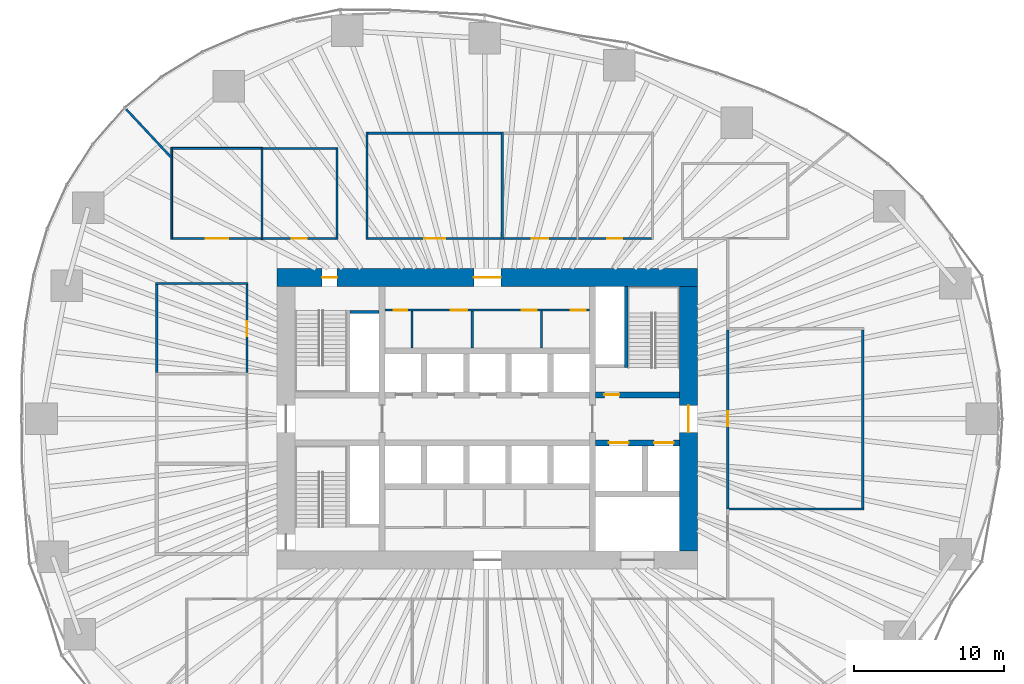
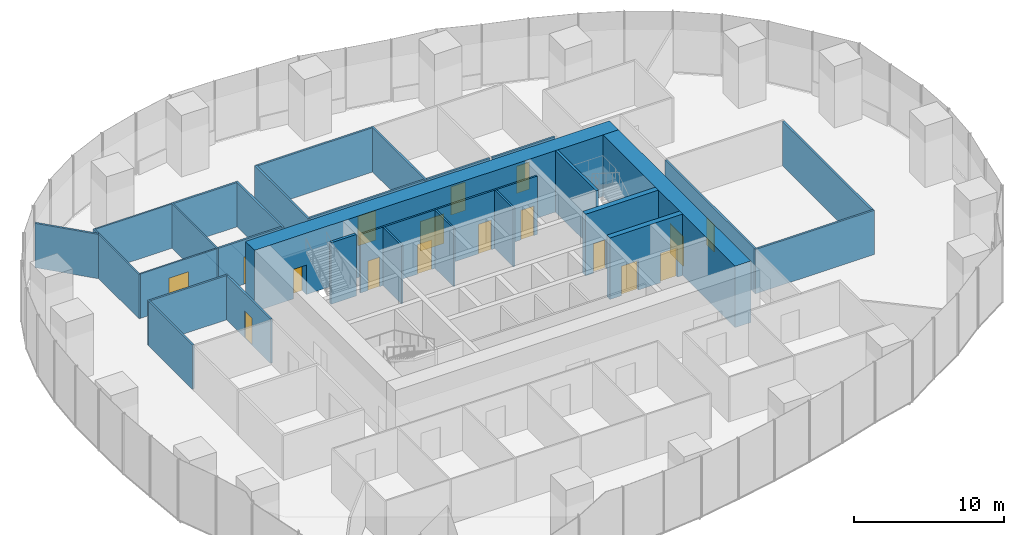
# One storey, part 11 of 20: 30 walls, 17 doors, 17 openings.
"""IFC4 building model written with IfcOpenShell, lengths in metres."""

from ifc_helpers import new_model, si_unit, direction, frame, frame_2d, origin, place, context, subcontext, project, spatial, rectangle, extrude, material, layer, layer_set, type_object, element, fill, save


model = new_model("IFC4")

# Units and contexts
model_context = context("Model", 3, precision=1e-05, world=origin(), true_north=direction((0.0, 1.0)))
body_context = subcontext(model_context, "Body", "Model", "MODEL_VIEW")
ifc_project = project(units=[si_unit("LENGTHUNIT", "METRE"), si_unit("AREAUNIT", "SQUARE_METRE"), si_unit("VOLUMEUNIT", "CUBIC_METRE"), si_unit("PLANEANGLEUNIT", "RADIAN"), si_unit("MASSUNIT", "GRAM", prefix="KILO")], contexts=[model_context])

# Site, building, storey
site_placement = place(None, origin())
site = spatial("IfcSite", under=ifc_project, at=site_placement, CompositionType="ELEMENT")
building_placement = place(site_placement, origin())
building = spatial("IfcBuilding", under=site, at=building_placement, Name="Ghaith Harvest Tower", CompositionType="ELEMENT")
storey_placement = place(building_placement, frame((0.0, 0.0, 50.0)))
storey = spatial("IfcBuildingStorey", under=building, at=storey_placement, Name="L10", CompositionType="ELEMENT", Elevation=50.0)

# Wall, openings, doors
ifc_material_1 = material(Name="Concrete blockwork, fair-faced", Category="masonry")
ifc_layer_1 = layer(ifc_material_1, 0.139892578125)
ifc_layer_set_1 = layer_set([ifc_layer_1], Name="CORE PARTITION 140")
wall_type_1 = type_object("IfcWallType", Name="CORE PARTITION 140", PredefinedType="PARTITIONING", material=ifc_layer_set_1)
wall_1_placement = place(storey_placement, frame((-6.800048828125, 7.22998046875, 0.0), z_axis=(0.0, 0.0, 1.0), x_axis=(1.0, 0.0, 0.0)))
wall_1 = element("IfcWall", 1, at=wall_1_placement, inside=storey, type_object=wall_type_1, Name="Core partition L10", PredefinedType="PARTITIONING", context=body_context, shape_type="SweptSolid", body=[
    extrude(rectangle(XDim=13.60009765625, YDim=0.139892578125, at=frame_2d((6.800048828125, 0.0))), origin(), (0.0, 0.0, 1.0), 4.75),
])
opening_1_placement = place(wall_1_placement, frame((0.580078125, 0.0, 0.0)))
opening_1 = element("IfcOpeningElement", 2, at=opening_1_placement, cuts=wall_1, Name="Opening 10-008", PredefinedType="OPENING", context=body_context, shape_type="SweptSolid", body=[
    extrude(rectangle(XDim=0.89990234375, YDim=2.39990234375, at=frame_2d((0.449951171875, 1.199951171875))), frame((0.0, 0.080078125, 0.0), z_axis=(0.0, -1.0, 0.0), x_axis=(1.0, 0.0, 0.0)), (0.0, 0.0, 1.0), 0.159912109375),
])
opening_2_placement = place(wall_1_placement, frame((4.3798828125, 0.0, 0.0)))
opening_2 = element("IfcOpeningElement", 3, at=opening_2_placement, cuts=wall_1, Name="Opening 10-009", PredefinedType="OPENING", context=body_context, shape_type="SweptSolid", body=[
    extrude(rectangle(XDim=1.10009765625, YDim=2.39990234375, at=frame_2d((0.550048828125, 1.199951171875))), frame((0.0, 0.080078125, 0.0), z_axis=(0.0, -1.0, 0.0), x_axis=(1.0, 0.0, 0.0)), (0.0, 0.0, 1.0), 0.159912109375),
])
opening_3_placement = place(wall_1_placement, frame((9.080078125, 0.0, 0.0)))
opening_3 = element("IfcOpeningElement", 4, at=opening_3_placement, cuts=wall_1, Name="Opening 10-010", PredefinedType="OPENING", context=body_context, shape_type="SweptSolid", body=[
    extrude(rectangle(XDim=1.0, YDim=2.39990234375, at=frame_2d((0.5, 1.199951171875))), frame((0.0, 0.080078125, 0.0), z_axis=(0.0, -1.0, 0.0), x_axis=(1.0, 0.0, 0.0)), (0.0, 0.0, 1.0), 0.159912109375),
])
opening_4_placement = place(wall_1_placement, frame((12.35009765625, 0.0, 0.0)))
opening_4 = element("IfcOpeningElement", 5, at=opening_4_placement, cuts=wall_1, Name="Opening 10-011", PredefinedType="OPENING", context=body_context, shape_type="SweptSolid", body=[
    extrude(rectangle(XDim=1.0, YDim=2.39990234375, at=frame_2d((0.5, 1.199951171875))), frame((0.0, 0.080078125, 0.0), z_axis=(0.0, -1.0, 0.0), x_axis=(1.0, 0.0, 0.0)), (0.0, 0.0, 1.0), 0.159912109375),
])
ifc_material_2 = material(Name="Steel fire door", Category="steel")
door_type_1 = type_object("IfcDoorType", Name="D3 FD90 1000x2400", OperationType="SINGLE_SWING_LEFT", PredefinedType="DOOR", material=ifc_material_2)
door_1_placement = place(opening_3_placement, origin())
door_1 = element("IfcDoor", 6, at=door_1_placement, inside=storey, type_object=door_type_1, Name="Male WC door", OperationType="SINGLE_SWING_RIGHT", OverallHeight=2.39990234375, OverallWidth=1.0, PredefinedType="DOOR", context=body_context, shape_type="SweptSolid", body=[
    extrude(rectangle(XDim=1.0, YDim=2.39990234375, at=frame_2d((0.5, 1.199951171875))), frame((0.0, 0.02490234375, 0.0), z_axis=(0.0, -1.0, 0.0), x_axis=(1.0, 0.0, 0.0)), (0.0, 0.0, 1.0), 0.050048828125),
])
fill(opening_3, door_1)
door_2_placement = place(opening_4_placement, origin())
door_2 = element("IfcDoor", 7, at=door_2_placement, inside=storey, type_object=door_type_1, Name="Female WC door", OperationType="SINGLE_SWING_RIGHT", OverallHeight=2.39990234375, OverallWidth=1.0, PredefinedType="DOOR", context=body_context, shape_type="SweptSolid", body=[
    extrude(rectangle(XDim=1.0, YDim=2.39990234375, at=frame_2d((0.5, 1.199951171875))), frame((0.0, 0.02490234375, 0.0), z_axis=(0.0, -1.0, 0.0), x_axis=(1.0, 0.0, 0.0)), (0.0, 0.0, 1.0), 0.050048828125),
])
fill(opening_4, door_2)
ifc_material_3 = material(Name="Steel fire door", Category="steel")
door_type_2 = type_object("IfcDoorType", Name="D5 FD90 900x2400", OperationType="SINGLE_SWING_LEFT", PredefinedType="DOOR", material=ifc_material_3)
door_3_placement = place(opening_1_placement, origin())
door_3 = element("IfcDoor", 8, at=door_3_placement, inside=storey, type_object=door_type_2, Name="Cleaner's store door", OperationType="SINGLE_SWING_LEFT", OverallHeight=2.39990234375, OverallWidth=0.89990234375, PredefinedType="DOOR", context=body_context, shape_type="SweptSolid", body=[
    extrude(rectangle(XDim=0.89990234375, YDim=2.39990234375, at=frame_2d((0.449951171875, 1.199951171875))), frame((0.0, 0.02490234375, 0.0), z_axis=(0.0, -1.0, 0.0), x_axis=(1.0, 0.0, 0.0)), (0.0, 0.0, 1.0), 0.050048828125),
])
fill(opening_1, door_3)
ifc_material_4 = material(Name="Steel fire door", Category="steel")
door_type_3 = type_object("IfcDoorType", Name="D9 FD90 1100x2400", OperationType="SINGLE_SWING_LEFT", PredefinedType="DOOR", material=ifc_material_4)
door_4_placement = place(opening_2_placement, origin())
door_4 = element("IfcDoor", 9, at=door_4_placement, inside=storey, type_object=door_type_3, Name="Accessible WC door", OperationType="SINGLE_SWING_LEFT", OverallHeight=2.39990234375, OverallWidth=1.10009765625, PredefinedType="DOOR", context=body_context, shape_type="SweptSolid", body=[
    extrude(rectangle(XDim=1.10009765625, YDim=2.39990234375, at=frame_2d((0.550048828125, 1.199951171875))), frame((0.0, 0.02490234375, 0.0), z_axis=(0.0, -1.0, 0.0), x_axis=(1.0, 0.0, 0.0)), (0.0, 0.0, 1.0), 0.050048828125),
])
fill(opening_2, door_4)

# Walls
for number, where, z_axis, x_axis, name in (
    (10, (-5.0, 4.699951171875, 0.0), (0.0, 0.0, 1.0), (0.0, 1.0, 0.0), "Core partition L10"),
    (11, (-1.0, 4.699951171875, 0.0), (0.0, 0.0, 1.0), (0.0, 1.0, 0.0), "Core partition L10"),
    (12, (3.60009765625, 4.699951171875, 0.0), (0.0, 0.0, 1.0), (0.0, 1.0, 0.0), "Core partition L10"),
):
    element("IfcWall", number, at=place(storey_placement, frame(where, z_axis=z_axis, x_axis=x_axis)), inside=storey, type_object=wall_type_1, Name=name, PredefinedType="PARTITIONING", context=body_context, shape_type="SweptSolid", body=[
        extrude(rectangle(XDim=2.4599609375, YDim=0.139892578125, at=frame_2d((1.22998046875, 0.0))), origin(), (0.0, 0.0, 1.0), 4.75),
    ])

# Wall, openings, doors
ifc_material_5 = material(Name="Concrete C70/85", Category="concrete")
ifc_layer_2 = layer(ifc_material_5, 1.199951171875)
ifc_layer_set_2 = layer_set([ifc_layer_2], Name="CORE WALL CW1200")
wall_type_2 = type_object("IfcWallType", Name="CORE WALL CW1200", PredefinedType="SHEAR", material=ifc_layer_set_2)
wall_2_placement = place(storey_placement, frame((14.0, 9.39990234375, 0.0), z_axis=(0.0, 0.0, 1.0), x_axis=(-1.0, 0.0, 0.0)))
wall_2 = element("IfcWall", 13, at=wall_2_placement, inside=storey, type_object=wall_type_2, Name="Core wall N L10", PredefinedType="SHEAR", context=body_context, shape_type="SweptSolid", body=[
    extrude(rectangle(XDim=28.0, YDim=1.199951171875, at=frame_2d((14.0, 0.0))), origin(), (0.0, 0.0, 1.0), 5.0),
])
opening_5_placement = place(wall_2_placement, frame((24.0, 0.0, 0.0)))
opening_5 = element("IfcOpeningElement", 14, at=opening_5_placement, cuts=wall_2, Name="Opening 10-005", PredefinedType="OPENING", context=body_context, shape_type="SweptSolid", body=[
    extrude(rectangle(XDim=1.0, YDim=2.39990234375, at=frame_2d((0.5, 1.199951171875))), frame((0.0, 0.60986328125, 0.0), z_axis=(0.0, -1.0, 0.0), x_axis=(1.0, 0.0, 0.0)), (0.0, 0.0, 1.0), 1.219970703125),
])
opening_6_placement = place(wall_2_placement, frame((13.10009765625, 0.0, 0.0)))
opening_6 = element("IfcOpeningElement", 15, at=opening_6_placement, cuts=wall_2, Name="Opening 10-016", PredefinedType="OPENING", context=body_context, shape_type="SweptSolid", body=[
    extrude(rectangle(XDim=1.800048828125, YDim=2.39990234375, at=frame_2d((0.89990234375, 1.199951171875))), frame((0.0, 0.60986328125, 0.0), z_axis=(0.0, -1.0, 0.0), x_axis=(1.0, 0.0, 0.0)), (0.0, 0.0, 1.0), 1.219970703125),
])
door_5_placement = place(opening_5_placement, origin())
door_5 = element("IfcDoor", 16, at=door_5_placement, inside=storey, type_object=door_type_1, Name="Stair ST1 door", OperationType="SINGLE_SWING_RIGHT", OverallHeight=2.39990234375, OverallWidth=1.0, PredefinedType="DOOR", context=body_context, shape_type="SweptSolid", body=[
    extrude(rectangle(XDim=1.0, YDim=2.39990234375, at=frame_2d((0.5, 1.199951171875))), frame((0.0, 0.02490234375, 0.0), z_axis=(0.0, -1.0, 0.0), x_axis=(1.0, 0.0, 0.0)), (0.0, 0.0, 1.0), 0.050048828125),
])
fill(opening_5, door_5)
ifc_material_6 = material(Name="Steel fire door", Category="steel")
door_type_4 = type_object("IfcDoorType", Name="D4 FD90 PAIR 1800x2400", OperationType="DOUBLE_DOOR_SINGLE_SWING", PredefinedType="DOOR", material=ifc_material_6)
door_6_placement = place(opening_6_placement, origin())
door_6 = element("IfcDoor", 17, at=door_6_placement, inside=storey, type_object=door_type_4, Name="Core service corridor doors", OperationType="DOUBLE_DOOR_SINGLE_SWING", OverallHeight=2.39990234375, OverallWidth=1.800048828125, PredefinedType="DOOR", context=body_context, shape_type="SweptSolid", body=[
    extrude(rectangle(XDim=1.800048828125, YDim=2.39990234375, at=frame_2d((0.89990234375, 1.199951171875))), frame((0.0, 0.02490234375, 0.0), z_axis=(0.0, -1.0, 0.0), x_axis=(1.0, 0.0, 0.0)), (0.0, 0.0, 1.0), 0.050048828125),
])
fill(opening_6, door_6)

# Wall, opening, door
wall_3_placement = place(storey_placement, frame((13.39990234375, -8.800048828125, 0.0), z_axis=(0.0, 0.0, 1.0), x_axis=(0.0, 1.0, 0.0)))
wall_3 = element("IfcWall", 18, at=wall_3_placement, inside=storey, type_object=wall_type_2, Name="Core wall E L10", PredefinedType="SHEAR", context=body_context, shape_type="SweptSolid", body=[
    extrude(rectangle(XDim=17.60009765625, YDim=1.199951171875, at=frame_2d((8.800048828125, 0.0))), origin(), (0.0, 0.0, 1.0), 5.0),
])
opening_7_placement = place(wall_3_placement, frame((7.89990234375, 0.0, 0.0)))
opening_7 = element("IfcOpeningElement", 19, at=opening_7_placement, cuts=wall_3, Name="Opening 10-002", PredefinedType="OPENING", context=body_context, shape_type="SweptSolid", body=[
    extrude(rectangle(XDim=1.800048828125, YDim=2.39990234375, at=frame_2d((0.89990234375, 1.199951171875))), frame((0.0, 0.60986328125, 0.0), z_axis=(0.0, -1.0, 0.0), x_axis=(1.0, 0.0, 0.0)), (0.0, 0.0, 1.0), 1.219970703125),
])
door_7_placement = place(opening_7_placement, origin())
door_7 = element("IfcDoor", 20, at=door_7_placement, inside=storey, type_object=door_type_4, Name="Fire-fighting lobby doors", OperationType="DOUBLE_DOOR_SINGLE_SWING", OverallHeight=2.39990234375, OverallWidth=1.800048828125, PredefinedType="DOOR", context=body_context, shape_type="SweptSolid", body=[
    extrude(rectangle(XDim=1.800048828125, YDim=2.39990234375, at=frame_2d((0.89990234375, 1.199951171875))), frame((0.0, 0.02490234375, 0.0), z_axis=(0.0, -1.0, 0.0), x_axis=(1.0, 0.0, 0.0)), (0.0, 0.0, 1.0), 0.050048828125),
])
fill(opening_7, door_7)

# Walls
ifc_material_7 = material(Name="Insulated food-grade panel", Category="steel")
ifc_layer_3 = layer(ifc_material_7, 0.1201171875)
ifc_layer_set_3 = layer_set([ifc_layer_3], Name="INSULATED PANEL WALL 120")
wall_type_3 = type_object("IfcWallType", Name="INSULATED PANEL WALL 120", PredefinedType="PARTITIONING", material=ifc_layer_set_3)
wall_4_placement = place(storey_placement, frame((-21.0, 11.93994140625, 0.0), z_axis=(0.0, 0.0, 1.0), x_axis=(0.0, 1.0, 0.0)))
element("IfcWall", 21, at=wall_4_placement, inside=storey, type_object=wall_type_3, Name="Partition L10 row N3 cross wall 1", PredefinedType="PARTITIONING", context=body_context, shape_type="SweptSolid", body=[
    extrude(rectangle(XDim=6.1201171875, YDim=0.1201171875, at=frame_2d((3.06005859375, 0.0))), origin(), (0.0, 0.0, 1.0), 3.60009765625),
])
wall_5_placement = place(storey_placement, frame((-15.0, 11.925048828125, 0.0), z_axis=(0.0, 0.0, 1.0), x_axis=(0.0, 1.0, 0.0)))
element("IfcWall", 22, at=wall_5_placement, inside=storey, type_object=wall_type_3, Name="Partition L10 row N3 cross wall 2", PredefinedType="PARTITIONING", context=body_context, shape_type="SweptSolid", body=[
    extrude(rectangle(XDim=6.14990234375, YDim=0.1201171875, at=frame_2d((3.074951171875, 0.0))), origin(), (0.0, 0.0, 1.0), 3.60009765625),
])

# Wall, opening, door
wall_6_placement = place(storey_placement, frame((-20.93994140625, 12.0, 0.0), z_axis=(0.0, 0.0, 1.0), x_axis=(1.0, 0.0, 0.0)))
wall_6 = element("IfcWall", 23, at=wall_6_placement, inside=storey, type_object=wall_type_3, Name="Partition L10-08", PredefinedType="PARTITIONING", context=body_context, shape_type="SweptSolid", body=[
    extrude(rectangle(XDim=5.8798828125, YDim=0.1201171875, at=frame_2d((2.93994140625, 0.0))), origin(), (0.0, 0.0, 1.0), 3.60009765625),
])
opening_8_placement = place(wall_6_placement, frame((2.18994140625, 0.0, 0.0)))
opening_8 = element("IfcOpeningElement", 24, at=opening_8_placement, cuts=wall_6, Name="Opening 10-032", PredefinedType="OPENING", context=body_context, shape_type="SweptSolid", body=[
    extrude(rectangle(XDim=1.5, YDim=2.5, at=frame_2d((0.75, 1.25))), frame((0.0, 0.070068359375, 0.0), z_axis=(0.0, -1.0, 0.0), x_axis=(1.0, 0.0, 0.0)), (0.0, 0.0, 1.0), 0.14013671875),
])
ifc_material_8 = material(Name="Insulated steel sliding door", Category="steel")
door_type_5 = type_object("IfcDoorType", Name="D13 COLD STORE SLIDING 1500x2500", OperationType="SLIDING_TO_LEFT", PredefinedType="DOOR", material=ifc_material_8)
door_8_placement = place(opening_8_placement, origin())
door_8 = element("IfcDoor", 25, at=door_8_placement, inside=storey, type_object=door_type_5, Name="Germination room door", OperationType="SLIDING_TO_LEFT", OverallHeight=2.5, OverallWidth=1.5, PredefinedType="DOOR", context=body_context, shape_type="SweptSolid", body=[
    extrude(rectangle(XDim=1.5, YDim=2.5, at=frame_2d((0.75, 1.25))), frame((0.0, 0.02490234375, 0.0), z_axis=(0.0, -1.0, 0.0), x_axis=(1.0, 0.0, 0.0)), (0.0, 0.0, 1.0), 0.050048828125),
])
fill(opening_8, door_8)

# Walls
wall_7_placement = place(storey_placement, frame((-20.93994140625, 18.0, 0.0), z_axis=(0.0, 0.0, 1.0), x_axis=(1.0, 0.0, 0.0)))
element("IfcWall", 26, at=wall_7_placement, inside=storey, type_object=wall_type_3, Name="Partition L10-08", PredefinedType="PARTITIONING", context=body_context, shape_type="SweptSolid", body=[
    extrude(rectangle(XDim=5.8798828125, YDim=0.1201171875, at=frame_2d((2.93994140625, 0.0))), origin(), (0.0, 0.0, 1.0), 3.60009765625),
])
ifc_material_9 = material(Name="Gypsum board on steel studs", Category="steel")
ifc_layer_4 = layer(ifc_material_9, 0.14990234375)
ifc_layer_set_4 = layer_set([ifc_layer_4], Name="PARTITION 150")
wall_type_4 = type_object("IfcWallType", Name="PARTITION 150", PredefinedType="PARTITIONING", material=ifc_layer_set_4)
wall_8_placement = place(storey_placement, frame((-10.0, 11.925048828125, 0.0), z_axis=(0.0, 0.0, 1.0), x_axis=(0.0, 1.0, 0.0)))
element("IfcWall", 27, at=wall_8_placement, inside=storey, type_object=wall_type_4, Name="Partition L10 row N3 cross wall 3", PredefinedType="PARTITIONING", context=body_context, shape_type="SweptSolid", body=[
    extrude(rectangle(XDim=6.14990234375, YDim=0.14990234375, at=frame_2d((3.074951171875, 0.0))), origin(), (0.0, 0.0, 1.0), 3.60009765625),
])

# Wall, opening, door
wall_9_placement = place(storey_placement, frame((-14.93994140625, 12.0, 0.0), z_axis=(0.0, 0.0, 1.0), x_axis=(1.0, 0.0, 0.0)))
wall_9 = element("IfcWall", 28, at=wall_9_placement, inside=storey, type_object=wall_type_4, Name="Partition L10-09", PredefinedType="PARTITIONING", context=body_context, shape_type="SweptSolid", body=[
    extrude(rectangle(XDim=4.864990234375, YDim=0.14990234375, at=frame_2d((2.4326171875, 0.0))), origin(), (0.0, 0.0, 1.0), 3.60009765625),
])
opening_9_placement = place(wall_9_placement, frame((1.9326171875, 0.0, 0.0)))
opening_9 = element("IfcOpeningElement", 29, at=opening_9_placement, cuts=wall_9, Name="Opening 10-033", PredefinedType="OPENING", context=body_context, shape_type="SweptSolid", body=[
    extrude(rectangle(XDim=1.0, YDim=2.199951171875, at=frame_2d((0.5, 1.10009765625))), frame((0.0, 0.0849609375, 0.0), z_axis=(0.0, -1.0, 0.0), x_axis=(1.0, 0.0, 0.0)), (0.0, 0.0, 1.0), 0.169921875),
])
ifc_material_10 = material(Name="Timber door", Category="wood")
door_type_6 = type_object("IfcDoorType", Name="D1 SINGLE 1000x2200", OperationType="SINGLE_SWING_LEFT", PredefinedType="DOOR", material=ifc_material_10)
door_9_placement = place(opening_9_placement, origin())
door_9 = element("IfcDoor", 30, at=door_9_placement, inside=storey, type_object=door_type_6, Name="Seed store door", OperationType="SINGLE_SWING_LEFT", OverallHeight=2.199951171875, OverallWidth=1.0, PredefinedType="DOOR", context=body_context, shape_type="SweptSolid", body=[
    extrude(rectangle(XDim=1.0, YDim=2.199951171875, at=frame_2d((0.5, 1.10009765625))), frame((0.0, 0.02490234375, 0.0), z_axis=(0.0, -1.0, 0.0), x_axis=(1.0, 0.0, 0.0)), (0.0, 0.0, 1.0), 0.050048828125),
])
fill(opening_9, door_9)

# Walls
wall_10_placement = place(storey_placement, frame((-14.93994140625, 18.0, 0.0), z_axis=(0.0, 0.0, 1.0), x_axis=(1.0, 0.0, 0.0)))
element("IfcWall", 31, at=wall_10_placement, inside=storey, type_object=wall_type_4, Name="Partition L10-09", PredefinedType="PARTITIONING", context=body_context, shape_type="SweptSolid", body=[
    extrude(rectangle(XDim=4.864990234375, YDim=0.14990234375, at=frame_2d((2.4326171875, 0.0))), origin(), (0.0, 0.0, 1.0), 3.60009765625),
])
for number, where, z_axis, x_axis, name in (
    (32, (-8.0, 11.925048828125, 0.0), (0.0, 0.0, 1.0), (0.0, 1.0, 0.0), "Partition L10 row N4 cross wall 1"),
    (33, (1.0, 11.925048828125, 0.0), (0.0, 0.0, 1.0), (0.0, 1.0, 0.0), "Partition L10 row N4 cross wall 2"),
):
    element("IfcWall", number, at=place(storey_placement, frame(where, z_axis=z_axis, x_axis=x_axis)), inside=storey, type_object=wall_type_4, Name=name, PredefinedType="PARTITIONING", context=body_context, shape_type="SweptSolid", body=[
        extrude(rectangle(XDim=7.14990234375, YDim=0.14990234375, at=frame_2d((3.574951171875, 0.0))), origin(), (0.0, 0.0, 1.0), 3.60009765625),
    ])

# Wall, opening, door
wall_11_placement = place(storey_placement, frame((-7.925048828125, 12.0, 0.0), z_axis=(0.0, 0.0, 1.0), x_axis=(1.0, 0.0, 0.0)))
wall_11 = element("IfcWall", 34, at=wall_11_placement, inside=storey, type_object=wall_type_4, Name="Partition L10-10", PredefinedType="PARTITIONING", context=body_context, shape_type="SweptSolid", body=[
    extrude(rectangle(XDim=8.85009765625, YDim=0.14990234375, at=frame_2d((4.425048828125, 0.0))), origin(), (0.0, 0.0, 1.0), 3.60009765625),
])
opening_10_placement = place(wall_11_placement, frame((3.72509765625, 0.0, 0.0)))
opening_10 = element("IfcOpeningElement", 35, at=opening_10_placement, cuts=wall_11, Name="Opening 10-034", PredefinedType="OPENING", context=body_context, shape_type="SweptSolid", body=[
    extrude(rectangle(XDim=1.39990234375, YDim=2.39990234375, at=frame_2d((0.699951171875, 1.199951171875))), frame((0.0, 0.0849609375, 0.0), z_axis=(0.0, -1.0, 0.0), x_axis=(1.0, 0.0, 0.0)), (0.0, 0.0, 1.0), 0.169921875),
])
ifc_material_11 = material(Name="Stainless steel faced door pair", Category="steel")
door_type_7 = type_object("IfcDoorType", Name="D14 HYGIENE PAIR 1400x2400", OperationType="DOUBLE_DOOR_DOUBLE_SWING", PredefinedType="DOOR", material=ifc_material_11)
door_10_placement = place(opening_10_placement, origin())
door_10 = element("IfcDoor", 36, at=door_10_placement, inside=storey, type_object=door_type_7, Name="Harvest room door", OperationType="DOUBLE_DOOR_DOUBLE_SWING", OverallHeight=2.39990234375, OverallWidth=1.39990234375, PredefinedType="DOOR", context=body_context, shape_type="SweptSolid", body=[
    extrude(rectangle(XDim=1.39990234375, YDim=2.39990234375, at=frame_2d((0.699951171875, 1.199951171875))), frame((0.0, 0.02490234375, 0.0), z_axis=(0.0, -1.0, 0.0), x_axis=(1.0, 0.0, 0.0)), (0.0, 0.0, 1.0), 0.050048828125),
])
fill(opening_10, door_10)

# Wall
wall_12_placement = place(storey_placement, frame((-7.925048828125, 19.0, 0.0), z_axis=(0.0, 0.0, 1.0), x_axis=(1.0, 0.0, 0.0)))
element("IfcWall", 37, at=wall_12_placement, inside=storey, type_object=wall_type_4, Name="Partition L10-10", PredefinedType="PARTITIONING", context=body_context, shape_type="SweptSolid", body=[
    extrude(rectangle(XDim=8.85009765625, YDim=0.14990234375, at=frame_2d((4.425048828125, 0.0))), origin(), (0.0, 0.0, 1.0), 3.60009765625),
])

# Wall, opening, door
wall_13_placement = place(storey_placement, frame((1.074951171875, 12.0, 0.0), z_axis=(0.0, 0.0, 1.0), x_axis=(1.0, 0.0, 0.0)))
wall_13 = element("IfcWall", 38, at=wall_13_placement, inside=storey, type_object=wall_type_4, Name="Partition L10-11", PredefinedType="PARTITIONING", context=body_context, shape_type="SweptSolid", body=[
    extrude(rectangle(XDim=4.85009765625, YDim=0.14990234375, at=frame_2d((2.425048828125, 0.0))), origin(), (0.0, 0.0, 1.0), 3.60009765625),
])
opening_11_placement = place(wall_13_placement, frame((1.875, 0.0, 0.0)))
opening_11 = element("IfcOpeningElement", 39, at=opening_11_placement, cuts=wall_13, Name="Opening 10-035", PredefinedType="OPENING", context=body_context, shape_type="SweptSolid", body=[
    extrude(rectangle(XDim=1.10009765625, YDim=2.300048828125, at=frame_2d((0.550048828125, 1.14990234375))), frame((0.0, 0.0849609375, 0.0), z_axis=(0.0, -1.0, 0.0), x_axis=(1.0, 0.0, 0.0)), (0.0, 0.0, 1.0), 0.169921875),
])
ifc_material_12 = material(Name="Timber-framed glazed door", Category="wood")
door_type_8 = type_object("IfcDoorType", Name="D12 GLAZED OFFICE 1100x2300", OperationType="SINGLE_SWING_LEFT", PredefinedType="DOOR", material=ifc_material_12)
door_11_placement = place(opening_11_placement, origin())
door_11 = element("IfcDoor", 40, at=door_11_placement, inside=storey, type_object=door_type_8, Name="Growing office door", OperationType="SINGLE_SWING_LEFT", OverallHeight=2.300048828125, OverallWidth=1.10009765625, PredefinedType="DOOR", context=body_context, shape_type="SweptSolid", body=[
    extrude(rectangle(XDim=1.10009765625, YDim=2.300048828125, at=frame_2d((0.550048828125, 1.14990234375))), frame((0.0, 0.02490234375, 0.0), z_axis=(0.0, -1.0, 0.0), x_axis=(1.0, 0.0, 0.0)), (0.0, 0.0, 1.0), 0.050048828125),
])
fill(opening_11, door_11)

wall_14_placement = place(storey_placement, frame((6.074951171875, 12.0, 0.0), z_axis=(0.0, 0.0, 1.0), x_axis=(1.0, 0.0, 0.0)))
wall_14 = element("IfcWall", 41, at=wall_14_placement, inside=storey, type_object=wall_type_4, Name="Partition L10-12", PredefinedType="PARTITIONING", context=body_context, shape_type="SweptSolid", body=[
    extrude(rectangle(XDim=4.85009765625, YDim=0.14990234375, at=frame_2d((2.425048828125, 0.0))), origin(), (0.0, 0.0, 1.0), 3.60009765625),
])
opening_12_placement = place(wall_14_placement, frame((1.925048828125, 0.0, 0.0)))
opening_12 = element("IfcOpeningElement", 42, at=opening_12_placement, cuts=wall_14, Name="Opening 10-036", PredefinedType="OPENING", context=body_context, shape_type="SweptSolid", body=[
    extrude(rectangle(XDim=1.0, YDim=2.199951171875, at=frame_2d((0.5, 1.10009765625))), frame((0.0, 0.0849609375, 0.0), z_axis=(0.0, -1.0, 0.0), x_axis=(1.0, 0.0, 0.0)), (0.0, 0.0, 1.0), 0.169921875),
])
door_12_placement = place(opening_12_placement, origin())
door_12 = element("IfcDoor", 43, at=door_12_placement, inside=storey, type_object=door_type_6, Name="Staff room door", OperationType="SINGLE_SWING_LEFT", OverallHeight=2.199951171875, OverallWidth=1.0, PredefinedType="DOOR", context=body_context, shape_type="SweptSolid", body=[
    extrude(rectangle(XDim=1.0, YDim=2.199951171875, at=frame_2d((0.5, 1.10009765625))), frame((0.0, 0.02490234375, 0.0), z_axis=(0.0, -1.0, 0.0), x_axis=(1.0, 0.0, 0.0)), (0.0, 0.0, 1.0), 0.050048828125),
])
fill(opening_12, door_12)

# Wall
wall_15_placement = place(storey_placement, frame((15.925048828125, -6.0, 0.0), z_axis=(0.0, 0.0, 1.0), x_axis=(1.0, 0.0, 0.0)))
element("IfcWall", 44, at=wall_15_placement, inside=storey, type_object=wall_type_4, Name="Partition L10 row E5 cross wall 1", PredefinedType="PARTITIONING", context=body_context, shape_type="SweptSolid", body=[
    extrude(rectangle(XDim=9.14990234375, YDim=0.14990234375, at=frame_2d((4.574951171875, 0.0))), origin(), (0.0, 0.0, 1.0), 3.60009765625),
])

# Wall, opening, door
wall_16_placement = place(storey_placement, frame((16.0, -5.925048828125, 0.0), z_axis=(0.0, 0.0, 1.0), x_axis=(0.0, 1.0, 0.0)))
wall_16 = element("IfcWall", 45, at=wall_16_placement, inside=storey, type_object=wall_type_4, Name="Partition L10-13", PredefinedType="PARTITIONING", context=body_context, shape_type="SweptSolid", body=[
    extrude(rectangle(XDim=11.85009765625, YDim=0.14990234375, at=frame_2d((5.925048828125, 0.0))), origin(), (0.0, 0.0, 1.0), 3.60009765625),
])
opening_13_placement = place(wall_16_placement, frame((5.425048828125, 0.0, 0.0)))
opening_13 = element("IfcOpeningElement", 46, at=opening_13_placement, cuts=wall_16, Name="Opening 10-037", PredefinedType="OPENING", context=body_context, shape_type="SweptSolid", body=[
    extrude(rectangle(XDim=1.0, YDim=2.199951171875, at=frame_2d((0.5, 1.10009765625))), frame((0.0, 0.0849609375, 0.0), z_axis=(0.0, -1.0, 0.0), x_axis=(1.0, 0.0, 0.0)), (0.0, 0.0, 1.0), 0.169921875),
])
door_13_placement = place(opening_13_placement, origin())
door_13 = element("IfcDoor", 47, at=door_13_placement, inside=storey, type_object=door_type_6, Name="Crop research room door", OperationType="SINGLE_SWING_LEFT", OverallHeight=2.199951171875, OverallWidth=1.0, PredefinedType="DOOR", context=body_context, shape_type="SweptSolid", body=[
    extrude(rectangle(XDim=1.0, YDim=2.199951171875, at=frame_2d((0.5, 1.10009765625))), frame((0.0, 0.02490234375, 0.0), z_axis=(0.0, -1.0, 0.0), x_axis=(1.0, 0.0, 0.0)), (0.0, 0.0, 1.0), 0.050048828125),
])
fill(opening_13, door_13)

# Walls
wall_17_placement = place(storey_placement, frame((25.0, -5.925048828125, 0.0), z_axis=(0.0, 0.0, 1.0), x_axis=(0.0, 1.0, 0.0)))
element("IfcWall", 48, at=wall_17_placement, inside=storey, type_object=wall_type_4, Name="Partition L10-13", PredefinedType="PARTITIONING", context=body_context, shape_type="SweptSolid", body=[
    extrude(rectangle(XDim=11.85009765625, YDim=0.14990234375, at=frame_2d((5.925048828125, 0.0))), origin(), (0.0, 0.0, 1.0), 3.60009765625),
])
wall_18_placement = place(storey_placement, frame((-15.925048828125, 9.0, 0.0), z_axis=(0.0, 0.0, 1.0), x_axis=(-1.0, 0.0, 0.0)))
element("IfcWall", 49, at=wall_18_placement, inside=storey, type_object=wall_type_4, Name="Partition L10 row W6 cross wall 4", PredefinedType="PARTITIONING", context=body_context, shape_type="SweptSolid", body=[
    extrude(rectangle(XDim=6.14990234375, YDim=0.14990234375, at=frame_2d((3.074951171875, 0.0))), origin(), (0.0, 0.0, 1.0), 3.60009765625),
])

# Wall, opening, door
wall_19_placement = place(storey_placement, frame((-16.0, 3.074951171875, 0.0), z_axis=(0.0, 0.0, 1.0), x_axis=(0.0, 1.0, 0.0)))
wall_19 = element("IfcWall", 50, at=wall_19_placement, inside=storey, type_object=wall_type_4, Name="Partition L10-16", PredefinedType="PARTITIONING", context=body_context, shape_type="SweptSolid", body=[
    extrude(rectangle(XDim=5.85009765625, YDim=0.14990234375, at=frame_2d((2.925048828125, 0.0))), origin(), (0.0, 0.0, 1.0), 3.60009765625),
])
opening_14_placement = place(wall_19_placement, frame((2.425048828125, 0.0, 0.0)))
opening_14 = element("IfcOpeningElement", 51, at=opening_14_placement, cuts=wall_19, Name="Opening 10-040", PredefinedType="OPENING", context=body_context, shape_type="SweptSolid", body=[
    extrude(rectangle(XDim=1.0, YDim=2.199951171875, at=frame_2d((0.5, 1.10009765625))), frame((0.0, 0.0849609375, 0.0), z_axis=(0.0, -1.0, 0.0), x_axis=(1.0, 0.0, 0.0)), (0.0, 0.0, 1.0), 0.169921875),
])
door_14_placement = place(opening_14_placement, origin())
door_14 = element("IfcDoor", 52, at=door_14_placement, inside=storey, type_object=door_type_6, Name="Store door", OperationType="SINGLE_SWING_LEFT", OverallHeight=2.199951171875, OverallWidth=1.0, PredefinedType="DOOR", context=body_context, shape_type="SweptSolid", body=[
    extrude(rectangle(XDim=1.0, YDim=2.199951171875, at=frame_2d((0.5, 1.10009765625))), frame((0.0, 0.02490234375, 0.0), z_axis=(0.0, -1.0, 0.0), x_axis=(1.0, 0.0, 0.0)), (0.0, 0.0, 1.0), 0.050048828125),
])
fill(opening_14, door_14)

# Walls
wall_20_placement = place(storey_placement, frame((-22.0, 3.074951171875, 0.0), z_axis=(0.0, 0.0, 1.0), x_axis=(0.0, 1.0, 0.0)))
element("IfcWall", 53, at=wall_20_placement, inside=storey, type_object=wall_type_4, Name="Partition L10-16", PredefinedType="PARTITIONING", context=body_context, shape_type="SweptSolid", body=[
    extrude(rectangle(XDim=5.85009765625, YDim=0.14990234375, at=frame_2d((2.925048828125, 0.0))), origin(), (0.0, 0.0, 1.0), 3.60009765625),
])
wall_21_placement = place(storey_placement, frame((-21.02001953125, 17.37548828125, 0.0), z_axis=(0.0, 0.0, 1.0), x_axis=(-0.682511222631, 0.730875113123, 0.0)))
element("IfcWall", 54, at=wall_21_placement, inside=storey, type_object=wall_type_4, Name="Partition L10 zone division", PredefinedType="PARTITIONING", context=body_context, shape_type="SweptSolid", body=[
    extrude(rectangle(XDim=4.4169921875, YDim=0.14990234375, at=frame_2d((2.20849609375, 0.0))), origin(), (0.0, 0.0, 1.0), 3.60009765625),
])

# Wall, opening, door
ifc_material_13 = material(Name="Concrete C70/85", Category="concrete")
ifc_layer_5 = layer(ifc_material_13, 0.39990234375)
ifc_layer_set_5 = layer_set([ifc_layer_5], Name="SHAFT WALL 400")
wall_type_5 = type_object("IfcWallType", Name="SHAFT WALL 400", PredefinedType="SHEAR", material=ifc_layer_set_5)
wall_22_placement = place(storey_placement, frame((7.199951171875, 1.60009765625, 0.0), z_axis=(0.0, 0.0, 1.0), x_axis=(1.0, 0.0, 0.0)))
wall_22 = element("IfcWall", 55, at=wall_22_placement, inside=storey, type_object=wall_type_5, Name="Shaft wall EN L10", PredefinedType="SHEAR", context=body_context, shape_type="SweptSolid", body=[
    extrude(rectangle(XDim=5.60009765625, YDim=0.39990234375, at=frame_2d((2.800048828125, 0.0))), origin(), (0.0, 0.0, 1.0), 5.0),
])
opening_15_placement = place(wall_22_placement, frame((0.60009765625, 0.0, 0.0)))
opening_15 = element("IfcOpeningElement", 56, at=opening_15_placement, cuts=wall_22, Name="Opening 10-007", PredefinedType="OPENING", context=body_context, shape_type="SweptSolid", body=[
    extrude(rectangle(XDim=1.0, YDim=2.39990234375, at=frame_2d((0.5, 1.199951171875))), frame((0.0, 0.2099609375, 0.0), z_axis=(0.0, -1.0, 0.0), x_axis=(1.0, 0.0, 0.0)), (0.0, 0.0, 1.0), 0.419921875),
])
door_15_placement = place(opening_15_placement, origin())
door_15 = element("IfcDoor", 57, at=door_15_placement, inside=storey, type_object=door_type_1, Name="Stair ST2 door", OperationType="SINGLE_SWING_LEFT", OverallHeight=2.39990234375, OverallWidth=1.0, PredefinedType="DOOR", context=body_context, shape_type="SweptSolid", body=[
    extrude(rectangle(XDim=1.0, YDim=2.39990234375, at=frame_2d((0.5, 1.199951171875))), frame((0.0, 0.02490234375, 0.0), z_axis=(0.0, -1.0, 0.0), x_axis=(1.0, 0.0, 0.0)), (0.0, 0.0, 1.0), 0.050048828125),
])
fill(opening_15, door_15)

# Wall, openings, doors
wall_23_placement = place(storey_placement, frame((7.199951171875, -1.60009765625, 0.0), z_axis=(0.0, 0.0, 1.0), x_axis=(1.0, 0.0, 0.0)))
wall_23 = element("IfcWall", 58, at=wall_23_placement, inside=storey, type_object=wall_type_5, Name="Shaft wall ES L10", PredefinedType="SHEAR", context=body_context, shape_type="SweptSolid", body=[
    extrude(rectangle(XDim=5.60009765625, YDim=0.39990234375, at=frame_2d((2.800048828125, 0.0))), origin(), (0.0, 0.0, 1.0), 5.0),
])
opening_16_placement = place(wall_23_placement, frame((0.89990234375, 0.0, 0.0)))
opening_16 = element("IfcOpeningElement", 59, at=opening_16_placement, cuts=wall_23, Name="Opening 10-022", PredefinedType="OPENING", context=body_context, shape_type="SweptSolid", body=[
    extrude(rectangle(XDim=1.300048828125, YDim=2.39990234375, at=frame_2d((0.64990234375, 1.199951171875))), frame((0.0, 0.2099609375, 0.0), z_axis=(0.0, -1.0, 0.0), x_axis=(1.0, 0.0, 0.0)), (0.0, 0.0, 1.0), 0.419921875),
])
opening_17_placement = place(wall_23_placement, frame((3.89990234375, 0.0, 0.0)))
opening_17 = element("IfcOpeningElement", 60, at=opening_17_placement, cuts=wall_23, Name="Opening 10-023", PredefinedType="OPENING", context=body_context, shape_type="SweptSolid", body=[
    extrude(rectangle(XDim=1.300048828125, YDim=2.39990234375, at=frame_2d((0.64990234375, 1.199951171875))), frame((0.0, 0.2099609375, 0.0), z_axis=(0.0, -1.0, 0.0), x_axis=(1.0, 0.0, 0.0)), (0.0, 0.0, 1.0), 0.419921875),
])
ifc_material_14 = material(Name="Steel fire door", Category="steel")
door_type_9 = type_object("IfcDoorType", Name="LD2 LANDING 1300x2400", OperationType="DOUBLE_DOOR_SLIDING", PredefinedType="DOOR", material=ifc_material_14)
door_16_placement = place(opening_16_placement, origin())
door_16 = element("IfcDoor", 61, at=door_16_placement, inside=storey, type_object=door_type_9, Name="Landing door, fire service lift FL1", OperationType="DOUBLE_DOOR_SLIDING", OverallHeight=2.39990234375, OverallWidth=1.300048828125, PredefinedType="DOOR", context=body_context, shape_type="SweptSolid", body=[
    extrude(rectangle(XDim=1.300048828125, YDim=2.39990234375, at=frame_2d((0.64990234375, 1.199951171875))), frame((0.0, 0.02490234375, 0.0), z_axis=(0.0, -1.0, 0.0), x_axis=(1.0, 0.0, 0.0)), (0.0, 0.0, 1.0), 0.050048828125),
])
fill(opening_16, door_16)
door_17_placement = place(opening_17_placement, origin())
door_17 = element("IfcDoor", 62, at=door_17_placement, inside=storey, type_object=door_type_9, Name="Landing door, fire service lift FL2", OperationType="DOUBLE_DOOR_SLIDING", OverallHeight=2.39990234375, OverallWidth=1.300048828125, PredefinedType="DOOR", context=body_context, shape_type="SweptSolid", body=[
    extrude(rectangle(XDim=1.300048828125, YDim=2.39990234375, at=frame_2d((0.64990234375, 1.199951171875))), frame((0.0, 0.02490234375, 0.0), z_axis=(0.0, -1.0, 0.0), x_axis=(1.0, 0.0, 0.0)), (0.0, 0.0, 1.0), 0.050048828125),
])
fill(opening_17, door_17)

# Walls
ifc_material_15 = material(Name="Concrete C40/50", Category="concrete")
ifc_layer_6 = layer(ifc_material_15, 0.199951171875)
ifc_layer_set_6 = layer_set([ifc_layer_6], Name="STAIR SPINE WALL RC200")
wall_type_6 = type_object("IfcWallType", Name="STAIR SPINE WALL RC200", PredefinedType="SOLIDWALL", material=ifc_layer_set_6)
wall_24_placement = place(storey_placement, frame((-9.14990234375, 7.10009765625, 0.0), z_axis=(0.0, 0.0, 1.0), x_axis=(1.0, 0.0, 0.0)))
element("IfcWall", 63, at=wall_24_placement, inside=storey, type_object=wall_type_6, Name="Stair ST1 spine wall return L10", PredefinedType="SOLIDWALL", context=body_context, shape_type="SweptSolid", body=[
    extrude(rectangle(XDim=1.949951171875, YDim=0.199951171875, at=frame_2d((0.97509765625, 0.0))), origin(), (0.0, 0.0, 1.0), 5.0),
])
wall_25_placement = place(storey_placement, frame((9.25, 3.39990234375, 0.0), z_axis=(0.0, 0.0, 1.0), x_axis=(0.0, 1.0, 0.0)))
element("IfcWall", 64, at=wall_25_placement, inside=storey, type_object=wall_type_6, Name="Stair ST2 spine wall L10", PredefinedType="SOLIDWALL", context=body_context, shape_type="SweptSolid", body=[
    extrude(rectangle(XDim=5.400146484375, YDim=0.199951171875, at=frame_2d((2.7001953125, 0.0))), origin(), (0.0, 0.0, 1.0), 5.0),
])

save(model, "model.ifc")
